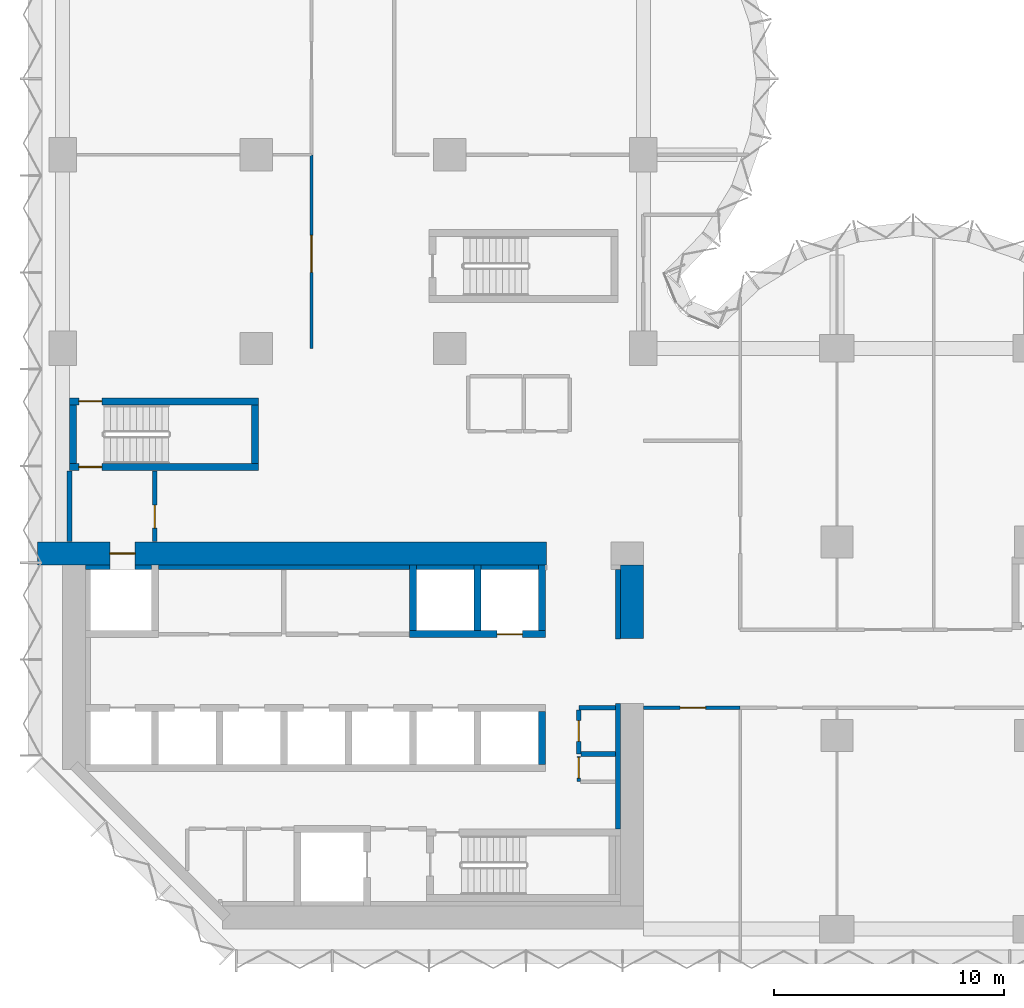
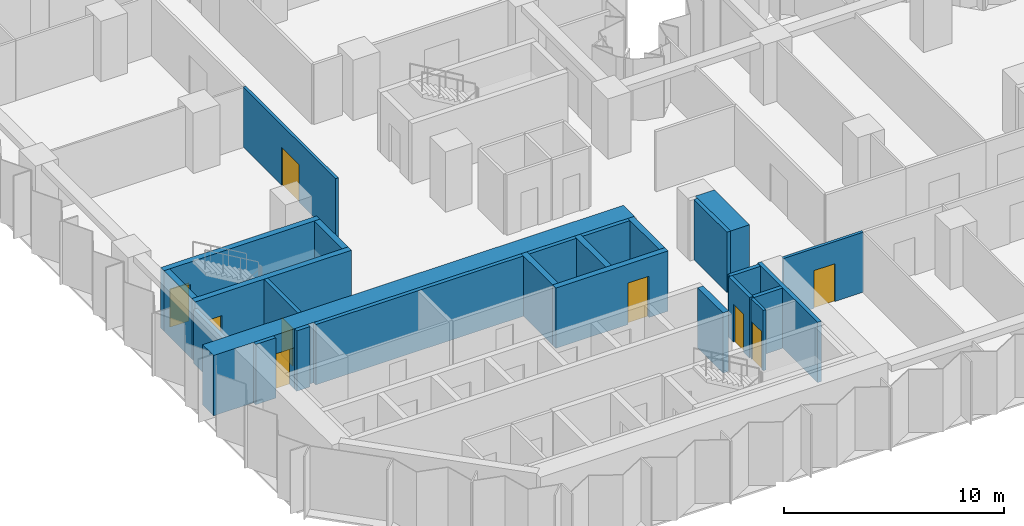
# One storey, part 8 of 15: 26 walls, 9 doors, 9 openings.
"""IFC4 building model written with IfcOpenShell, lengths in metres."""

from ifc_helpers import new_model, si_unit, direction, frame, frame_2d, origin, place, context, subcontext, project, spatial, rectangle, extrude, material, layer, layer_set, type_object, element, fill, save


model = new_model("IFC4")

# Units and contexts
model_context = context("Model", 3, precision=1e-05, world=origin(), true_north=direction((0.0, 1.0)))
body_context = subcontext(model_context, "Body", "Model", "MODEL_VIEW")
ifc_project = project(units=[si_unit("LENGTHUNIT", "METRE"), si_unit("AREAUNIT", "SQUARE_METRE"), si_unit("VOLUMEUNIT", "CUBIC_METRE"), si_unit("PLANEANGLEUNIT", "RADIAN"), si_unit("MASSUNIT", "GRAM", prefix="KILO")], contexts=[model_context])

# Site, building, storey
site_placement = place(None, origin())
site = spatial("IfcSite", under=ifc_project, at=site_placement, CompositionType="ELEMENT")
building_placement = place(site_placement, origin())
building = spatial("IfcBuilding", under=site, at=building_placement, Name="Brevane Broadcast Tower", CompositionType="ELEMENT")
storey_placement = place(building_placement, frame((0.0, 0.0, 58.10009765625)))
storey = spatial("IfcBuildingStorey", under=building, at=storey_placement, Name="L12", CompositionType="ELEMENT", Elevation=58.10009765625)

# Walls
ifc_material_1 = material(Name="Concrete C32/40", Category="concrete")
ifc_layer_1 = layer(ifc_material_1, 0.199951171875)
ifc_layer_set_1 = layer_set([ifc_layer_1], Name="Core chase wall 200 mm")
wall_type_1 = type_object("IfcWallType", Name="Core chase wall 200 mm", PredefinedType="PARTITIONING", material=ifc_layer_set_1)
wall_1_placement = place(storey_placement, frame((24.10009765625, 12.60009765625, 0.0), z_axis=(0.0, 0.0, 1.0), x_axis=(0.0, 1.0, 0.0)))
element("IfcWall", 1, at=wall_1_placement, inside=storey, type_object=wall_type_1, Name="L12 chase wall LE2", PredefinedType="PARTITIONING", context=body_context, shape_type="SweptSolid", body=[
    extrude(rectangle(XDim=3.0, YDim=0.199951171875, at=frame_2d((1.5, 0.0))), origin(), (0.0, 0.0, 1.0), 3.349853515625),
])
wall_2_placement = place(storey_placement, frame((1.0, 15.699951171875, 0.0), z_axis=(0.0, 0.0, 1.0), x_axis=(1.0, 0.0, 0.0)))
element("IfcWall", 2, at=wall_2_placement, inside=storey, type_object=wall_type_1, Name="L12 chase wall LN0", PredefinedType="PARTITIONING", context=body_context, shape_type="SweptSolid", body=[
    extrude(rectangle(XDim=1.050048828125, YDim=0.199951171875, at=frame_2d((0.52490234375, 0.0))), origin(), (0.0, 0.0, 1.0), 3.349853515625),
])
wall_3_placement = place(storey_placement, frame((3.14990234375, 15.699951171875, 0.0), z_axis=(0.0, 0.0, 1.0), x_axis=(1.0, 0.0, 0.0)))
element("IfcWall", 3, at=wall_3_placement, inside=storey, type_object=wall_type_1, Name="L12 chase wall LN1-1", PredefinedType="PARTITIONING", context=body_context, shape_type="SweptSolid", body=[
    extrude(rectangle(XDim=0.7001953125, YDim=0.199951171875, at=frame_2d((0.35009765625, 0.0))), origin(), (0.0, 0.0, 1.0), 3.349853515625),
])
wall_4_placement = place(storey_placement, frame((4.14990234375, 15.699951171875, 0.0), z_axis=(0.0, 0.0, 1.0), x_axis=(1.0, 0.0, 0.0)))
element("IfcWall", 4, at=wall_4_placement, inside=storey, type_object=wall_type_1, Name="L12 chase wall LN1-2-1", PredefinedType="PARTITIONING", context=body_context, shape_type="SweptSolid", body=[
    extrude(rectangle(XDim=10.900146484375, YDim=0.199951171875, at=frame_2d((5.4501953125, 0.0))), origin(), (0.0, 0.0, 1.0), 3.349853515625),
])
for number, where, z_axis, x_axis, name in (
    (5, (15.35009765625, 15.699951171875, 0.0), (0.0, 0.0, 1.0), (1.0, 0.0, 0.0), "L12 chase wall LN1-2-2-1"),
    (6, (18.14990234375, 15.699951171875, 0.0), (0.0, 0.0, 1.0), (1.0, 0.0, 0.0), "L12 chase wall LN1-2-2-2-1"),
):
    element("IfcWall", number, at=place(storey_placement, frame(where, z_axis=z_axis, x_axis=x_axis)), inside=storey, type_object=wall_type_1, Name=name, PredefinedType="PARTITIONING", context=body_context, shape_type="SweptSolid", body=[
        extrude(rectangle(XDim=2.5, YDim=0.199951171875, at=frame_2d((1.25, 0.0))), origin(), (0.0, 0.0, 1.0), 3.349853515625),
    ])
wall_5_placement = place(storey_placement, frame((24.10009765625, 4.35009765625, 0.0), z_axis=(0.0, 0.0, 1.0), x_axis=(0.0, 1.0, 0.0)))
element("IfcWall", 7, at=wall_5_placement, inside=storey, type_object=wall_type_1, Name="L12 chase wall LE1-2-2", PredefinedType="PARTITIONING", context=body_context, shape_type="SweptSolid", body=[
    extrude(rectangle(XDim=5.449951171875, YDim=0.199951171875, at=frame_2d((2.72509765625, 0.0))), origin(), (0.0, 0.0, 1.0), 3.349853515625),
])

# Wall, opening, door
ifc_material_2 = material(Name="Gypsum board on steel studs", Category="steel")
ifc_layer_2 = layer(ifc_material_2, 0.14990234375)
ifc_layer_set_2 = layer_set([ifc_layer_2], Name="Core fire partition 150 mm")
wall_type_2 = type_object("IfcWallType", Name="Core fire partition 150 mm", PredefinedType="PARTITIONING", material=ifc_layer_set_2)
wall_6_placement = place(storey_placement, frame((22.39990234375, 7.5, 0.0), z_axis=(0.0, 0.0, 1.0), x_axis=(0.0, -1.0, 0.0)))
wall_6 = element("IfcWall", 8, at=wall_6_placement, inside=storey, type_object=wall_type_2, Name="L12 partition wall P22", PredefinedType="PARTITIONING", context=body_context, shape_type="SweptSolid", body=[
    extrude(rectangle(XDim=1.10009765625, YDim=0.14990234375, at=frame_2d((0.550048828125, 0.0))), origin(), (0.0, 0.0, 1.0), 3.349853515625),
])
opening_1_placement = place(wall_6_placement, frame((0.050048828125, 0.0, 0.0)))
opening_1 = element("IfcOpeningElement", 9, at=opening_1_placement, cuts=wall_6, Name="Opening L12-K19", PredefinedType="OPENING", context=body_context, shape_type="SweptSolid", body=[
    extrude(rectangle(XDim=0.89990234375, YDim=2.10009765625, at=frame_2d((0.449951171875, 1.050048828125))), frame((0.0, 0.0849609375, 0.0), z_axis=(0.0, -1.0, 0.0), x_axis=(1.0, 0.0, 0.0)), (0.0, 0.0, 1.0), 0.169921875),
])
ifc_material_3 = material(Name="Steel", Category="steel")
door_type_1 = type_object("IfcDoorType", Name="Service room door 900 x 2100", OperationType="SINGLE_SWING_LEFT", PredefinedType="DOOR", material=ifc_material_3)
door_1_placement = place(opening_1_placement, origin())
door_1 = element("IfcDoor", 10, at=door_1_placement, inside=storey, type_object=door_type_1, Name="Door L12-K19", OperationType="SINGLE_SWING_RIGHT", OverallHeight=2.10009765625, OverallWidth=0.89990234375, PredefinedType="DOOR", context=body_context, shape_type="SweptSolid", body=[
    extrude(rectangle(XDim=0.89990234375, YDim=2.10009765625, at=frame_2d((0.449951171875, 1.050048828125))), frame((0.0, 0.02490234375, 0.0), z_axis=(0.0, -1.0, 0.0), x_axis=(1.0, 0.0, 0.0)), (0.0, 0.0, 1.0), 0.050048828125),
])
fill(opening_1, door_1)

# Wall
ifc_layer_3 = layer(ifc_material_2, 0.199951171875)
ifc_layer_set_3 = layer_set([ifc_layer_3], Name="Core fire partition 200 mm")
wall_type_3 = type_object("IfcWallType", Name="Core fire partition 200 mm", PredefinedType="PARTITIONING", material=ifc_layer_set_3)
wall_7_placement = place(storey_placement, frame((0.300048828125, 16.81201171875, 0.0), z_axis=(0.0, 0.0, 1.0), x_axis=(0.0, 1.0, 0.0)))
element("IfcWall", 11, at=wall_7_placement, inside=storey, type_object=wall_type_3, Name="L12 partition wall P01", PredefinedType="PARTITIONING", context=body_context, shape_type="SweptSolid", body=[
    extrude(rectangle(XDim=3.075927734375, YDim=0.199951171875, at=frame_2d((1.5380859375, 0.0))), origin(), (0.0, 0.0, 1.0), 2.97998046875),
])

# Wall, opening, door
wall_8_placement = place(storey_placement, frame((4.0, 19.887939453125, 0.0), z_axis=(0.0, 0.0, 1.0), x_axis=(0.0, -1.0, 0.0)))
wall_8 = element("IfcWall", 12, at=wall_8_placement, inside=storey, type_object=wall_type_3, Name="L12 partition wall P02", PredefinedType="PARTITIONING", context=body_context, shape_type="SweptSolid", body=[
    extrude(rectangle(XDim=3.075927734375, YDim=0.199951171875, at=frame_2d((1.5380859375, 0.0))), origin(), (0.0, 0.0, 1.0), 3.349853515625),
])
opening_2_placement = place(wall_8_placement, frame((1.488037109375, 0.0, 0.0)))
opening_2 = element("IfcOpeningElement", 13, at=opening_2_placement, cuts=wall_8, Name="Opening L12-K23", PredefinedType="OPENING", context=body_context, shape_type="SweptSolid", body=[
    extrude(rectangle(XDim=1.0, YDim=2.10009765625, at=frame_2d((0.5, 1.050048828125))), frame((0.0, 0.10986328125, 0.0), z_axis=(0.0, -1.0, 0.0), x_axis=(1.0, 0.0, 0.0)), (0.0, 0.0, 1.0), 0.219970703125),
])
door_type_2 = type_object("IfcDoorType", Name="Stair door 1000 x 2100", OperationType="SINGLE_SWING_LEFT", PredefinedType="DOOR", material=ifc_material_3)
door_2_placement = place(opening_2_placement, origin())
door_2 = element("IfcDoor", 14, at=door_2_placement, inside=storey, type_object=door_type_2, Name="Door L12-K23", OperationType="SINGLE_SWING_RIGHT", OverallHeight=2.10009765625, OverallWidth=1.0, PredefinedType="DOOR", context=body_context, shape_type="SweptSolid", body=[
    extrude(rectangle(XDim=1.0, YDim=2.10009765625, at=frame_2d((0.5, 1.050048828125))), frame((0.0, 0.02490234375, 0.0), z_axis=(0.0, -1.0, 0.0), x_axis=(1.0, 0.0, 0.0)), (0.0, 0.0, 1.0), 0.050048828125),
])
fill(opening_2, door_2)

# Wall
wall_9_placement = place(storey_placement, frame((23.988037109375, 9.60009765625, 0.0), z_axis=(0.0, 0.0, 1.0), x_axis=(-1.0, 0.0, 0.0)))
element("IfcWall", 15, at=wall_9_placement, inside=storey, type_object=wall_type_3, Name="L12 partition wall P06", PredefinedType="PARTITIONING", context=body_context, shape_type="SweptSolid", body=[
    extrude(rectangle(XDim=1.588134765625, YDim=0.199951171875, at=frame_2d((0.7939453125, 0.0))), origin(), (0.0, 0.0, 1.0), 3.349853515625),
])

# Wall, opening, door
wall_10_placement = place(storey_placement, frame((22.39990234375, 9.5, 0.0), z_axis=(0.0, 0.0, 1.0), x_axis=(0.0, -1.0, 0.0)))
wall_10 = element("IfcWall", 16, at=wall_10_placement, inside=storey, type_object=wall_type_3, Name="L12 partition wall P07", PredefinedType="PARTITIONING", context=body_context, shape_type="SweptSolid", body=[
    extrude(rectangle(XDim=1.89990234375, YDim=0.199951171875, at=frame_2d((0.949951171875, 0.0))), origin(), (0.0, 0.0, 1.0), 3.349853515625),
])
opening_3_placement = place(wall_10_placement, frame((0.449951171875, 0.0, 0.0)))
opening_3 = element("IfcOpeningElement", 17, at=opening_3_placement, cuts=wall_10, Name="Opening L12-K20", PredefinedType="OPENING", context=body_context, shape_type="SweptSolid", body=[
    extrude(rectangle(XDim=0.89990234375, YDim=2.10009765625, at=frame_2d((0.449951171875, 1.050048828125))), frame((0.0, 0.10986328125, 0.0), z_axis=(0.0, -1.0, 0.0), x_axis=(1.0, 0.0, 0.0)), (0.0, 0.0, 1.0), 0.219970703125),
])
door_3_placement = place(opening_3_placement, origin())
door_3 = element("IfcDoor", 18, at=door_3_placement, inside=storey, type_object=door_type_1, Name="Door L12-K20", OperationType="SINGLE_SWING_LEFT", OverallHeight=2.10009765625, OverallWidth=0.89990234375, PredefinedType="DOOR", context=body_context, shape_type="SweptSolid", body=[
    extrude(rectangle(XDim=0.89990234375, YDim=2.10009765625, at=frame_2d((0.449951171875, 1.050048828125))), frame((0.0, 0.02490234375, 0.0), z_axis=(0.0, -1.0, 0.0), x_axis=(1.0, 0.0, 0.0)), (0.0, 0.0, 1.0), 0.050048828125),
])
fill(opening_3, door_3)

# Wall
wall_11_placement = place(storey_placement, frame((22.5, 7.60009765625, 0.0), z_axis=(0.0, 0.0, 1.0), x_axis=(1.0, 0.0, 0.0)))
element("IfcWall", 19, at=wall_11_placement, inside=storey, type_object=wall_type_3, Name="L12 partition wall P08", PredefinedType="PARTITIONING", context=body_context, shape_type="SweptSolid", body=[
    extrude(rectangle(XDim=1.488037109375, YDim=0.199951171875, at=frame_2d((0.744140625, 0.0))), origin(), (0.0, 0.0, 1.0), 3.349853515625),
])

# Wall, opening, door
ifc_material_4 = material(Name="Concrete C80/95", Category="concrete")
ifc_layer_4 = layer(ifc_material_4, 1.0)
ifc_layer_set_4 = layer_set([ifc_layer_4], Name="Core wall 1000 mm C80/95")
wall_type_4 = type_object("IfcWallType", Name="Core wall 1000 mm C80/95", PredefinedType="SHEAR", material=ifc_layer_set_4)
wall_12_placement = place(storey_placement, frame((-1.10009765625, 16.300048828125, 0.0), z_axis=(0.0, 0.0, 1.0), x_axis=(1.0, 0.0, 0.0)))
wall_12 = element("IfcWall", 20, at=wall_12_placement, inside=storey, type_object=wall_type_4, Name="L12 outer wall WN1", PredefinedType="SHEAR", context=body_context, shape_type="SweptSolid", body=[
    extrude(rectangle(XDim=22.10009765625, YDim=1.0, at=frame_2d((11.050048828125, 0.0))), origin(), (0.0, 0.0, 1.0), 3.349853515625),
])
opening_4_placement = place(wall_12_placement, frame((3.14990234375, 0.0, 0.0)))
opening_4 = element("IfcOpeningElement", 21, at=opening_4_placement, cuts=wall_12, Name="Opening LD", PredefinedType="OPENING", context=body_context, shape_type="SweptSolid", body=[
    extrude(rectangle(XDim=1.10009765625, YDim=2.300048828125, at=frame_2d((0.550048828125, 1.14990234375))), frame((0.0, 0.510009765625, 0.0), z_axis=(0.0, -1.0, 0.0), x_axis=(1.0, 0.0, 0.0)), (0.0, 0.0, 1.0), 1.02001953125),
])
ifc_material_5 = material(Name="Stainless steel", Category="steel")
door_type_3 = type_object("IfcDoorType", Name="Lift landing door", OperationType="SLIDING_TO_LEFT", PredefinedType="DOOR", material=ifc_material_5)
door_4_placement = place(opening_4_placement, origin())
door_4 = element("IfcDoor", 22, at=door_4_placement, inside=storey, type_object=door_type_3, Name="Landing door FF1 L12", OperationType="SLIDING_TO_LEFT", OverallHeight=2.300048828125, OverallWidth=1.10009765625, PredefinedType="DOOR", context=body_context, shape_type="SweptSolid", body=[
    extrude(rectangle(XDim=1.10009765625, YDim=2.300048828125, at=frame_2d((0.550048828125, 1.14990234375))), frame((0.0, 0.02490234375, 0.0), z_axis=(0.0, -1.0, 0.0), x_axis=(1.0, 0.0, 0.0)), (0.0, 0.0, 1.0), 0.050048828125),
])
fill(opening_4, door_4)

# Walls
wall_13_placement = place(storey_placement, frame((24.699951171875, 12.60009765625, 0.0), z_axis=(0.0, 0.0, 1.0), x_axis=(0.0, 1.0, 0.0)))
element("IfcWall", 23, at=wall_13_placement, inside=storey, type_object=wall_type_4, Name="L12 outer wall WE2", PredefinedType="SHEAR", context=body_context, shape_type="SweptSolid", body=[
    extrude(rectangle(XDim=3.199951171875, YDim=1.0, at=frame_2d((1.60009765625, 0.0))), origin(), (0.0, 0.0, 1.0), 3.349853515625),
])
ifc_layer_5 = layer(ifc_material_4, 0.300048828125)
ifc_layer_set_5 = layer_set([ifc_layer_5], Name="Core wall 300 mm C80/95")
wall_type_5 = type_object("IfcWallType", Name="Core wall 300 mm C80/95", PredefinedType="SHEAR", material=ifc_layer_set_5)
wall_14_placement = place(storey_placement, frame((20.800048828125, 7.14990234375, 0.0), z_axis=(0.0, 0.0, 1.0), x_axis=(0.0, 1.0, 0.0)))
element("IfcWall", 24, at=wall_14_placement, inside=storey, type_object=wall_type_5, Name="L12 shaft wall SH-S-P208", PredefinedType="SHEAR", context=body_context, shape_type="SweptSolid", body=[
    extrude(rectangle(XDim=2.300048828125, YDim=0.300048828125, at=frame_2d((1.14990234375, 0.0))), origin(), (0.0, 0.0, 1.0), 3.349853515625),
])

# Wall, opening, door
wall_15_placement = place(storey_placement, frame((15.050048828125, 12.800048828125, 0.0), z_axis=(0.0, 0.0, 1.0), x_axis=(1.0, 0.0, 0.0)))
wall_15 = element("IfcWall", 25, at=wall_15_placement, inside=storey, type_object=wall_type_5, Name="L12 shaft wall SH-N152-front", PredefinedType="SHEAR", context=body_context, shape_type="SweptSolid", body=[
    extrude(rectangle(XDim=5.89990234375, YDim=0.300048828125, at=frame_2d((2.949951171875, 0.0))), origin(), (0.0, 0.0, 1.0), 3.349853515625),
])
opening_5_placement = place(wall_15_placement, frame((3.800048828125, 0.0, 0.0)))
opening_5 = element("IfcOpeningElement", 26, at=opening_5_placement, cuts=wall_15, Name="Opening LD", PredefinedType="OPENING", context=body_context, shape_type="SweptSolid", body=[
    extrude(rectangle(XDim=1.10009765625, YDim=2.300048828125, at=frame_2d((0.550048828125, 1.14990234375))), frame((0.0, 0.159912109375, 0.0), z_axis=(0.0, -1.0, 0.0), x_axis=(1.0, 0.0, 0.0)), (0.0, 0.0, 1.0), 0.320068359375),
])
door_5_placement = place(opening_5_placement, origin())
door_5 = element("IfcDoor", 27, at=door_5_placement, inside=storey, type_object=door_type_3, Name="Landing door SL1 L12", OperationType="SLIDING_TO_LEFT", OverallHeight=2.300048828125, OverallWidth=1.10009765625, PredefinedType="DOOR", context=body_context, shape_type="SweptSolid", body=[
    extrude(rectangle(XDim=1.10009765625, YDim=2.300048828125, at=frame_2d((0.550048828125, 1.14990234375))), frame((0.0, 0.02490234375, 0.0), z_axis=(0.0, -1.0, 0.0), x_axis=(1.0, 0.0, 0.0)), (0.0, 0.0, 1.0), 0.050048828125),
])
fill(opening_5, door_5)

# Walls
for number, where, z_axis, x_axis, name in (
    (28, (15.199951171875, 12.949951171875, 0.0), (0.0, 0.0, 1.0), (0.0, 1.0, 0.0), "L12 shaft wall SH-N-P152"),
    (29, (18.0, 12.949951171875, 0.0), (0.0, 0.0, 1.0), (0.0, 1.0, 0.0), "L12 shaft wall SH-N-P180"),
    (30, (20.800048828125, 12.949951171875, 0.0), (0.0, 0.0, 1.0), (0.0, 1.0, 0.0), "L12 shaft wall SH-N-P208"),
):
    element("IfcWall", number, at=place(storey_placement, frame(where, z_axis=z_axis, x_axis=x_axis)), inside=storey, type_object=wall_type_5, Name=name, PredefinedType="SHEAR", context=body_context, shape_type="SweptSolid", body=[
        extrude(rectangle(XDim=2.85009765625, YDim=0.300048828125, at=frame_2d((1.425048828125, 0.0))), origin(), (0.0, 0.0, 1.0), 3.349853515625),
    ])

# Wall, opening, door
wall_16_placement = place(storey_placement, frame((8.5, 20.050048828125, 0.0), z_axis=(0.0, 0.0, 1.0), x_axis=(-1.0, 0.0, 0.0)))
wall_16 = element("IfcWall", 31, at=wall_16_placement, inside=storey, type_object=wall_type_5, Name="L12 stair wall ST-1-S", PredefinedType="SHEAR", context=body_context, shape_type="SweptSolid", body=[
    extrude(rectangle(XDim=8.199951171875, YDim=0.300048828125, at=frame_2d((4.10009765625, 0.0))), origin(), (0.0, 0.0, 1.0), 3.349853515625),
])
opening_6_placement = place(wall_16_placement, frame((6.800048828125, 0.0, 0.0)))
opening_6 = element("IfcOpeningElement", 32, at=opening_6_placement, cuts=wall_16, Name="Opening L12-K10", PredefinedType="OPENING", context=body_context, shape_type="SweptSolid", body=[
    extrude(rectangle(XDim=1.0, YDim=2.10009765625, at=frame_2d((0.5, 1.050048828125))), frame((0.0, 0.159912109375, 0.0), z_axis=(0.0, -1.0, 0.0), x_axis=(1.0, 0.0, 0.0)), (0.0, 0.0, 1.0), 0.320068359375),
])
door_6_placement = place(opening_6_placement, origin())
door_6 = element("IfcDoor", 33, at=door_6_placement, inside=storey, type_object=door_type_2, Name="Door L12-K10", OperationType="SINGLE_SWING_LEFT", OverallHeight=2.10009765625, OverallWidth=1.0, PredefinedType="DOOR", context=body_context, shape_type="SweptSolid", body=[
    extrude(rectangle(XDim=1.0, YDim=2.10009765625, at=frame_2d((0.5, 1.050048828125))), frame((0.0, 0.02490234375, 0.0), z_axis=(0.0, -1.0, 0.0), x_axis=(1.0, 0.0, 0.0)), (0.0, 0.0, 1.0), 0.050048828125),
])
fill(opening_6, door_6)

wall_17_placement = place(storey_placement, frame((0.300048828125, 22.89990234375, 0.0), z_axis=(0.0, 0.0, 1.0), x_axis=(1.0, 0.0, 0.0)))
wall_17 = element("IfcWall", 34, at=wall_17_placement, inside=storey, type_object=wall_type_5, Name="L12 stair wall ST-1-N", PredefinedType="SHEAR", context=body_context, shape_type="SweptSolid", body=[
    extrude(rectangle(XDim=8.199951171875, YDim=0.300048828125, at=frame_2d((4.10009765625, 0.0))), origin(), (0.0, 0.0, 1.0), 3.349853515625),
])
opening_7_placement = place(wall_17_placement, frame((0.39990234375, 0.0, 0.0)))
opening_7 = element("IfcOpeningElement", 35, at=opening_7_placement, cuts=wall_17, Name="Opening L12-K11", PredefinedType="OPENING", context=body_context, shape_type="SweptSolid", body=[
    extrude(rectangle(XDim=1.0, YDim=2.10009765625, at=frame_2d((0.5, 1.050048828125))), frame((0.0, 0.159912109375, 0.0), z_axis=(0.0, -1.0, 0.0), x_axis=(1.0, 0.0, 0.0)), (0.0, 0.0, 1.0), 0.320068359375),
])
door_7_placement = place(opening_7_placement, origin())
door_7 = element("IfcDoor", 36, at=door_7_placement, inside=storey, type_object=door_type_2, Name="Door L12-K11", OperationType="SINGLE_SWING_RIGHT", OverallHeight=2.10009765625, OverallWidth=1.0, PredefinedType="DOOR", context=body_context, shape_type="SweptSolid", body=[
    extrude(rectangle(XDim=1.0, YDim=2.10009765625, at=frame_2d((0.5, 1.050048828125))), frame((0.0, 0.02490234375, 0.0), z_axis=(0.0, -1.0, 0.0), x_axis=(1.0, 0.0, 0.0)), (0.0, 0.0, 1.0), 0.050048828125),
])
fill(opening_7, door_7)

# Walls
for number, where, z_axis, x_axis, name in (
    (37, (0.449951171875, 20.199951171875, 0.0), (0.0, 0.0, 1.0), (0.0, 1.0, 0.0), "L12 stair wall ST-1-W"),
    (38, (8.35009765625, 20.199951171875, 0.0), (0.0, 0.0, 1.0), (0.0, 1.0, 0.0), "L12 stair wall ST-1-E"),
):
    element("IfcWall", number, at=place(storey_placement, frame(where, z_axis=z_axis, x_axis=x_axis)), inside=storey, type_object=wall_type_5, Name=name, PredefinedType="SHEAR", context=body_context, shape_type="SweptSolid", body=[
        extrude(rectangle(XDim=2.550048828125, YDim=0.300048828125, at=frame_2d((1.27490234375, 0.0))), origin(), (0.0, 0.0, 1.0), 3.349853515625),
    ])

# Wall, opening, door
ifc_material_6 = material(Name="Gypsum board partition")
ifc_layer_6 = layer(ifc_material_6, 0.14990234375)
ifc_layer_set_6 = layer_set([ifc_layer_6], Name="PARTITION 150 EI 60")
wall_type_6 = type_object("IfcWallType", Name="PARTITION 150 EI 60", PredefinedType="PARTITIONING", material=ifc_layer_set_6)
wall_18_placement = place(storey_placement, frame((29.39990234375, 9.60009765625, 0.0), z_axis=(0.0, 0.0, 1.0), x_axis=(-1.0, 0.0, 0.0)))
wall_18 = element("IfcWall", 39, at=wall_18_placement, inside=storey, type_object=wall_type_6, Name="Partition G03-002", PredefinedType="PARTITIONING", context=body_context, shape_type="SweptSolid", body=[
    extrude(rectangle(XDim=4.199951171875, YDim=0.14990234375, at=frame_2d((2.10009765625, 0.0))), origin(), (0.0, 0.0, 1.0), 3.329833984375),
])
opening_8_placement = place(wall_18_placement, frame((1.5, 0.0, 0.0)))
opening_8 = element("IfcOpeningElement", 40, at=opening_8_placement, cuts=wall_18, Name="Opening D09-003", PredefinedType="OPENING", context=body_context, shape_type="SweptSolid", body=[
    extrude(rectangle(XDim=1.10009765625, YDim=2.10009765625, at=frame_2d((0.550048828125, 1.050048828125))), frame((0.0, 0.0849609375, 0.0), z_axis=(0.0, -1.0, 0.0), x_axis=(1.0, 0.0, 0.0)), (0.0, 0.0, 1.0), 0.169921875),
])
ifc_material_7 = material(Name="Fire-rated timber door leaf", Category="wood")
door_type_4 = type_object("IfcDoorType", Name="DOOR SINGLE 1100 FD30S", OperationType="SINGLE_SWING_LEFT", PredefinedType="DOOR", material=ifc_material_7)
door_8_placement = place(opening_8_placement, origin())
door_8 = element("IfcDoor", 41, at=door_8_placement, inside=storey, type_object=door_type_4, Name="Door D09-003", OperationType="SINGLE_SWING_LEFT", OverallHeight=2.10009765625, OverallWidth=1.10009765625, PredefinedType="DOOR", context=body_context, shape_type="SweptSolid", body=[
    extrude(rectangle(XDim=1.10009765625, YDim=2.10009765625, at=frame_2d((0.550048828125, 1.050048828125))), frame((0.0, 0.02490234375, 0.0), z_axis=(0.0, -1.0, 0.0), x_axis=(1.0, 0.0, 0.0)), (0.0, 0.0, 1.0), 0.050048828125),
])
fill(opening_8, door_8)

wall_19_placement = place(storey_placement, frame((10.800048828125, 25.199951171875, 0.0), z_axis=(0.0, 0.0, 1.0), x_axis=(0.0, 1.0, 0.0)))
wall_19 = element("IfcWall", 42, at=wall_19_placement, inside=storey, type_object=wall_type_6, Name="Partition G03-036", PredefinedType="PARTITIONING", context=body_context, shape_type="SweptSolid", body=[
    extrude(rectangle(XDim=8.400146484375, YDim=0.14990234375, at=frame_2d((4.2001953125, 0.0))), origin(), (0.0, 0.0, 1.0), 3.329833984375),
])
opening_9_placement = place(wall_19_placement, frame((3.300048828125, 0.0, 0.0)))
opening_9 = element("IfcOpeningElement", 43, at=opening_9_placement, cuts=wall_19, Name="Opening D09-014", PredefinedType="OPENING", context=body_context, shape_type="SweptSolid", body=[
    extrude(rectangle(XDim=1.60009765625, YDim=2.10009765625, at=frame_2d((0.800048828125, 1.050048828125))), frame((0.0, 0.0849609375, 0.0), z_axis=(0.0, -1.0, 0.0), x_axis=(1.0, 0.0, 0.0)), (0.0, 0.0, 1.0), 0.169921875),
])
door_type_5 = type_object("IfcDoorType", Name="DOOR DOUBLE 1600 FD30S", OperationType="DOUBLE_DOOR_SINGLE_SWING", PredefinedType="DOOR", material=ifc_material_7)
door_9_placement = place(opening_9_placement, origin())
door_9 = element("IfcDoor", 44, at=door_9_placement, inside=storey, type_object=door_type_5, Name="Door D09-014", OperationType="DOUBLE_DOOR_SINGLE_SWING", OverallHeight=2.10009765625, OverallWidth=1.60009765625, PredefinedType="DOOR", context=body_context, shape_type="SweptSolid", body=[
    extrude(rectangle(XDim=1.60009765625, YDim=2.10009765625, at=frame_2d((0.800048828125, 1.050048828125))), frame((0.0, 0.02490234375, 0.0), z_axis=(0.0, -1.0, 0.0), x_axis=(1.0, 0.0, 0.0)), (0.0, 0.0, 1.0), 0.050048828125),
])
fill(opening_9, door_9)

save(model, "model.ifc")
